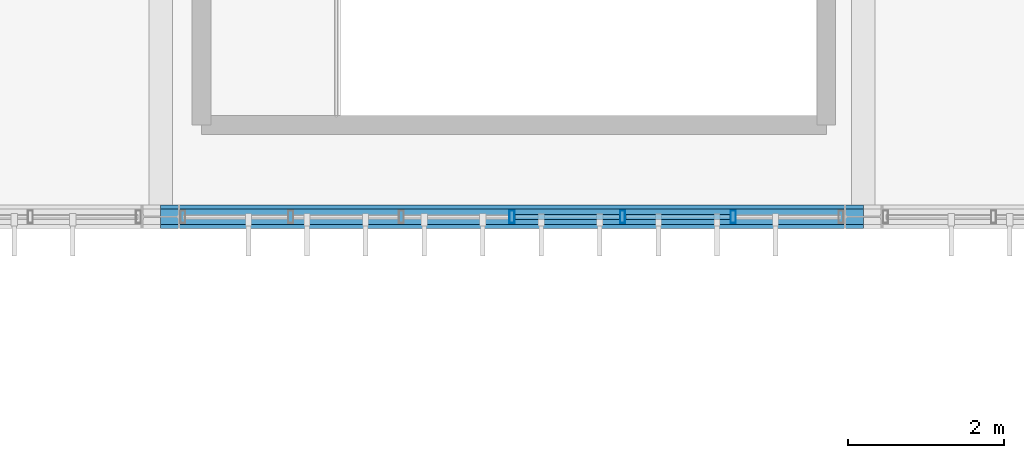
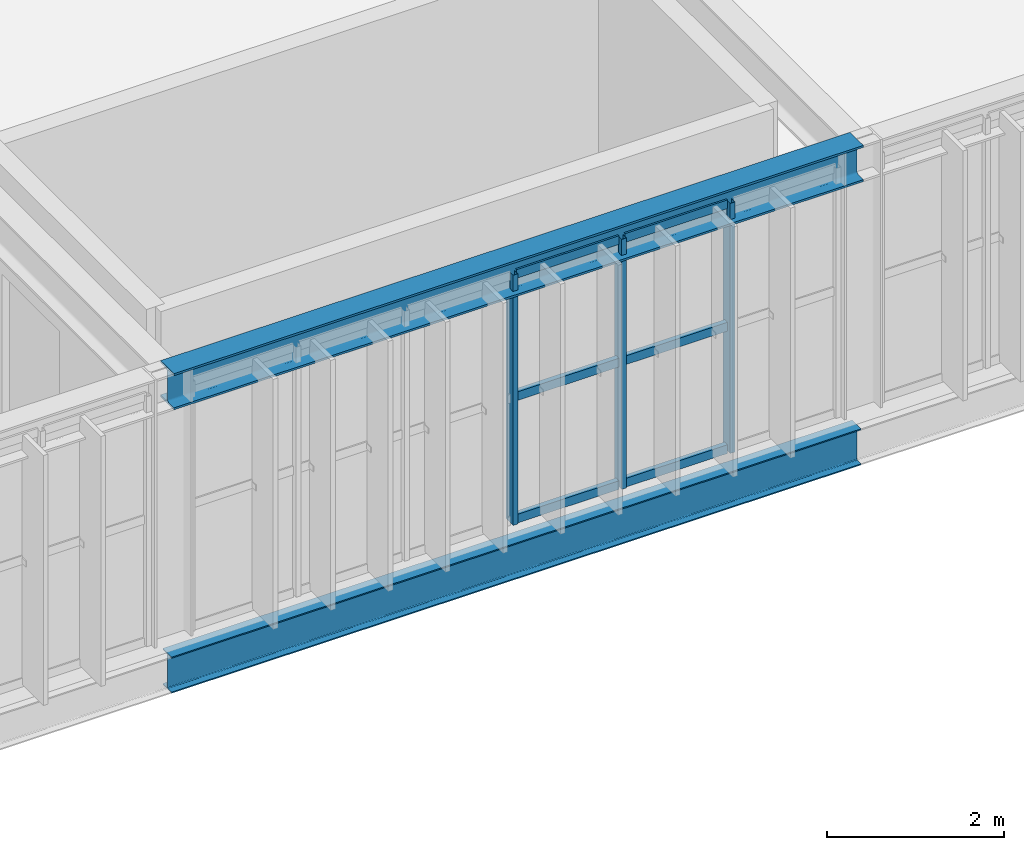
# One storey, part 22 of 152: 9 members, 2 beams, 1 element without a shape of its own.
"""IFC4 building model written with IfcOpenShell, lengths in metres."""

from ifc_helpers import new_model, si_unit, derived_unit, direction, frame, origin, origin_2d, place, context, subcontext, project, spatial, hollow_rectangle, i_section, extrude, material, material_profile, profile_set, type_object, element, aggregate, save


model = new_model("IFC4")

# Units and contexts
model_context = context("Model", 3, precision=1e-05, world=origin(), true_north=direction((0.0, 1.0)))
body_context = subcontext(model_context, "Body", "Model", "MODEL_VIEW")
ifc_project = project(units=[si_unit("LENGTHUNIT", "METRE"), si_unit("AREAUNIT", "SQUARE_METRE"), si_unit("VOLUMEUNIT", "CUBIC_METRE"), si_unit("PLANEANGLEUNIT", "RADIAN"), si_unit("MASSUNIT", "GRAM", prefix="KILO"), si_unit("THERMODYNAMICTEMPERATUREUNIT", "KELVIN"), si_unit("TIMEUNIT", "SECOND"), derived_unit("THERMALTRANSMITTANCEUNIT", [(si_unit("MASSUNIT", "GRAM", prefix="KILO"), 1), (si_unit("THERMODYNAMICTEMPERATUREUNIT", "KELVIN"), -1), (si_unit("TIMEUNIT", "SECOND"), -3)])], contexts=[model_context])

# Site, building, storey
site_placement = place(None, origin())
site = spatial("IfcSite", under=ifc_project, at=site_placement, CompositionType="ELEMENT")
building_placement = place(site_placement, origin())
building = spatial("IfcBuilding", under=site, at=building_placement, Name="Cambertide Market Hall", CompositionType="ELEMENT")
storey_placement = place(building_placement, frame((0.0, 0.0, 5.39990234375)))
storey = spatial("IfcBuildingStorey", under=building, at=storey_placement, Name="L02", CompositionType="ELEMENT", Elevation=5.39990234375)

# Curtain wall, members
ifc_material_1 = material(Name="Marine Anodized Aluminium 6063-T6 AA25", Category="aluminium")
curtain_wall_type = type_object("IfcCurtainWallType", Name="Lantern Straight Upper Curtain Wall", PredefinedType="USERDEFINED", material=ifc_material_1)
curtain_wall_placement = place(storey_placement, origin())
curtain_wall = element("IfcCurtainWall", 1, at=curtain_wall_placement, inside=storey, type_object=curtain_wall_type, Name="Level 2 Curtain Wall CW-V1S-L02-3", ObjectType="UNITIZED CURTAIN WALL", PredefinedType="USERDEFINED")
ifc_material_2 = material(Name="Champagne Marine Anodized Aluminium 6063-T6 AA25", Category="aluminium")
ifc_material_profile_1 = material_profile(ifc_material_2, hollow_rectangle(XDim=0.06494140625, YDim=0.159912109375, WallThickness=0.00341796875, at=origin_2d()), Name="ALU MULLION 65x160")
ifc_profile_set_1 = profile_set([ifc_material_profile_1], Name="Champagne Marine Anodized Aluminium 6063-T6 AA25")
member_type_1 = type_object("IfcMemberType", Name="Curtain Wall Mullion ALU MULLION 65x160", PredefinedType="MULLION", material=ifc_profile_set_1)
member_1_placement = place(storey_placement, frame((67.333251953125, 52.0, 0.0), z_axis=(0.0, 0.0, 1.0), x_axis=(-1.0, 0.0, 0.0)))
member_1 = element("IfcMember", 2, at=member_1_placement, type_object=member_type_1, Name="CW-V1S-L02-3 Mullion 2", PredefinedType="MULLION", context=body_context, shape_type="SweptSolid", body=[
    extrude(hollow_rectangle(XDim=0.06494140625, YDim=0.159912109375, WallThickness=0.00341796875, at=origin_2d()), origin(), (0.0, 0.0, 1.0), 3.4501953125),
])
member_2_placement = place(storey_placement, frame((65.916748046875, 52.0, 0.0), z_axis=(0.0, 0.0, 1.0), x_axis=(-1.0, 0.0, 0.0)))
member_2 = element("IfcMember", 3, at=member_2_placement, type_object=member_type_1, Name="CW-V1S-L02-3 Mullion 3", PredefinedType="MULLION", context=body_context, shape_type="SweptSolid", body=[
    extrude(hollow_rectangle(XDim=0.06494140625, YDim=0.159912109375, WallThickness=0.00341796875, at=origin_2d()), origin(), (0.0, 0.0, 1.0), 3.4501953125),
])
member_3_placement = place(storey_placement, frame((64.5, 52.0, 0.0), z_axis=(0.0, 0.0, 1.0), x_axis=(-1.0, 0.0, 0.0)))
member_3 = element("IfcMember", 4, at=member_3_placement, type_object=member_type_1, Name="CW-V1S-L02-3 Mullion 4", PredefinedType="MULLION", context=body_context, shape_type="SweptSolid", body=[
    extrude(hollow_rectangle(XDim=0.06494140625, YDim=0.159912109375, WallThickness=0.00341796875, at=origin_2d()), origin(), (0.0, 0.0, 1.0), 3.4501953125),
])
ifc_material_3 = material(Name="Champagne Marine Anodized Aluminium 6063-T6 AA25", Category="aluminium")
ifc_material_profile_2 = material_profile(ifc_material_3, hollow_rectangle(XDim=0.06494140625, YDim=0.1201171875, WallThickness=0.003173828125, at=origin_2d()), Name="ALU TRANSOM 65x120")
ifc_profile_set_2 = profile_set([ifc_material_profile_2], Name="Champagne Marine Anodized Aluminium 6063-T6 AA25")
member_type_2 = type_object("IfcMemberType", Name="Curtain Wall Transom ALU TRANSOM 65x120", PredefinedType="USERDEFINED", material=ifc_profile_set_2)
member_4_placement = place(storey_placement, frame((67.293212890625, 52.0, 0.03515625), z_axis=(-1.0, 0.0, 0.0), x_axis=(0.0, -1.0, 0.0)))
member_4 = element("IfcMember", 5, at=member_4_placement, type_object=member_type_2, Name="CW-V1S-L02-3 Transom 1-2", ObjectType="TRANSOM", PredefinedType="USERDEFINED", context=body_context, shape_type="SweptSolid", body=[
    extrude(hollow_rectangle(XDim=0.06494140625, YDim=0.1201171875, WallThickness=0.003173828125, at=origin_2d()), origin(), (0.0, 0.0, 1.0), 1.33642578125),
])
member_5_placement = place(storey_placement, frame((65.876708984375, 52.0, 0.03515625), z_axis=(-1.0, 0.0, 0.0), x_axis=(0.0, -1.0, 0.0)))
member_5 = element("IfcMember", 6, at=member_5_placement, type_object=member_type_2, Name="CW-V1S-L02-3 Transom 1-3", ObjectType="TRANSOM", PredefinedType="USERDEFINED", context=body_context, shape_type="SweptSolid", body=[
    extrude(hollow_rectangle(XDim=0.06494140625, YDim=0.1201171875, WallThickness=0.003173828125, at=origin_2d()), origin(), (0.0, 0.0, 1.0), 1.336669921875),
])
member_6_placement = place(storey_placement, frame((67.293212890625, 52.0, 1.72509765625), z_axis=(-1.0, 0.0, 0.0), x_axis=(0.0, -1.0, 0.0)))
member_6 = element("IfcMember", 7, at=member_6_placement, type_object=member_type_2, Name="CW-V1S-L02-3 Transom 2-2", ObjectType="TRANSOM", PredefinedType="USERDEFINED", context=body_context, shape_type="SweptSolid", body=[
    extrude(hollow_rectangle(XDim=0.06494140625, YDim=0.1201171875, WallThickness=0.003173828125, at=origin_2d()), origin(), (0.0, 0.0, 1.0), 1.33642578125),
])
member_7_placement = place(storey_placement, frame((65.876708984375, 52.0, 1.72509765625), z_axis=(-1.0, 0.0, 0.0), x_axis=(0.0, -1.0, 0.0)))
member_7 = element("IfcMember", 8, at=member_7_placement, type_object=member_type_2, Name="CW-V1S-L02-3 Transom 2-3", ObjectType="TRANSOM", PredefinedType="USERDEFINED", context=body_context, shape_type="SweptSolid", body=[
    extrude(hollow_rectangle(XDim=0.06494140625, YDim=0.1201171875, WallThickness=0.003173828125, at=origin_2d()), origin(), (0.0, 0.0, 1.0), 1.336669921875),
])
member_8_placement = place(storey_placement, frame((67.293212890625, 52.0, 3.4150390625), z_axis=(-1.0, 0.0, 0.0), x_axis=(0.0, -1.0, 0.0)))
member_8 = element("IfcMember", 9, at=member_8_placement, type_object=member_type_2, Name="CW-V1S-L02-3 Transom 3-2", ObjectType="TRANSOM", PredefinedType="USERDEFINED", context=body_context, shape_type="SweptSolid", body=[
    extrude(hollow_rectangle(XDim=0.06494140625, YDim=0.1201171875, WallThickness=0.003173828125, at=origin_2d()), origin(), (0.0, 0.0, 1.0), 1.33642578125),
])
member_9_placement = place(storey_placement, frame((65.876708984375, 52.0, 3.4150390625), z_axis=(-1.0, 0.0, 0.0), x_axis=(0.0, -1.0, 0.0)))
member_9 = element("IfcMember", 10, at=member_9_placement, type_object=member_type_2, Name="CW-V1S-L02-3 Transom 3-3", ObjectType="TRANSOM", PredefinedType="USERDEFINED", context=body_context, shape_type="SweptSolid", body=[
    extrude(hollow_rectangle(XDim=0.06494140625, YDim=0.1201171875, WallThickness=0.003173828125, at=origin_2d()), origin(), (0.0, 0.0, 1.0), 1.336669921875),
])
aggregate(curtain_wall, [member_1, member_2, member_3, member_4, member_5, member_6, member_7, member_8, member_9])

# Beams
ifc_material_4 = material(Name="Steel S355", Category="steel")
ifc_material_profile_3 = material_profile(ifc_material_4, i_section(OverallWidth=0.300048828125, OverallDepth=0.5, WebThickness=0.014404296875, FlangeThickness=0.028076171875, FilletRadius=0.027099609375, at=origin_2d()), Name="HEB 500")
ifc_profile_set_3 = profile_set([ifc_material_profile_3], Name="Steel S355")
beam_type_1 = type_object("IfcBeamType", Name="Exterior Steel Girder HEB 500", PredefinedType="BEAM", material=ifc_profile_set_3)
beam_1_placement = place(storey_placement, frame((60.0, 52.0, 3.4501953125), z_axis=(1.0, 0.0, 0.0), x_axis=(0.0, 1.0, 0.0)))
element("IfcBeam", 11, at=beam_1_placement, inside=storey, type_object=beam_type_1, Name="Level 2 Beam EAVE-V1S-3", PredefinedType="BEAM", context=body_context, shape_type="SweptSolid", body=[
    extrude(i_section(OverallWidth=0.300048828125, OverallDepth=0.5, WebThickness=0.014404296875, FlangeThickness=0.028076171875, FilletRadius=0.027099609375, at=origin_2d()), origin(), (0.0, 0.0, 1.0), 9.0),
])
ifc_material_5 = material(Name="Steel S355", Category="steel")
ifc_material_profile_4 = material_profile(ifc_material_5, i_section(OverallWidth=0.199951171875, OverallDepth=0.5, WebThickness=0.01025390625, FlangeThickness=0.01611328125, FilletRadius=0.02099609375, at=origin_2d()), Name="IPE 500")
ifc_profile_set_4 = profile_set([ifc_material_profile_4], Name="Steel S355")
beam_type_2 = type_object("IfcBeamType", Name="Perimeter Spandrel Beam IPE 500", PredefinedType="SPANDREL", material=ifc_profile_set_4)
beam_2_placement = place(storey_placement, frame((60.0, 52.0, -0.489990234375), z_axis=(1.0, 0.0, 0.0), x_axis=(0.0, 1.0, 0.0)))
element("IfcBeam", 12, at=beam_2_placement, inside=storey, type_object=beam_type_2, Name="Level 2 Spandrel BM-V1S-L02-3", PredefinedType="SPANDREL", context=body_context, shape_type="SweptSolid", body=[
    extrude(i_section(OverallWidth=0.199951171875, OverallDepth=0.5, WebThickness=0.01025390625, FlangeThickness=0.01611328125, FilletRadius=0.02099609375, at=origin_2d()), origin(), (0.0, 0.0, 1.0), 9.0),
])

save(model, "model.ifc")
